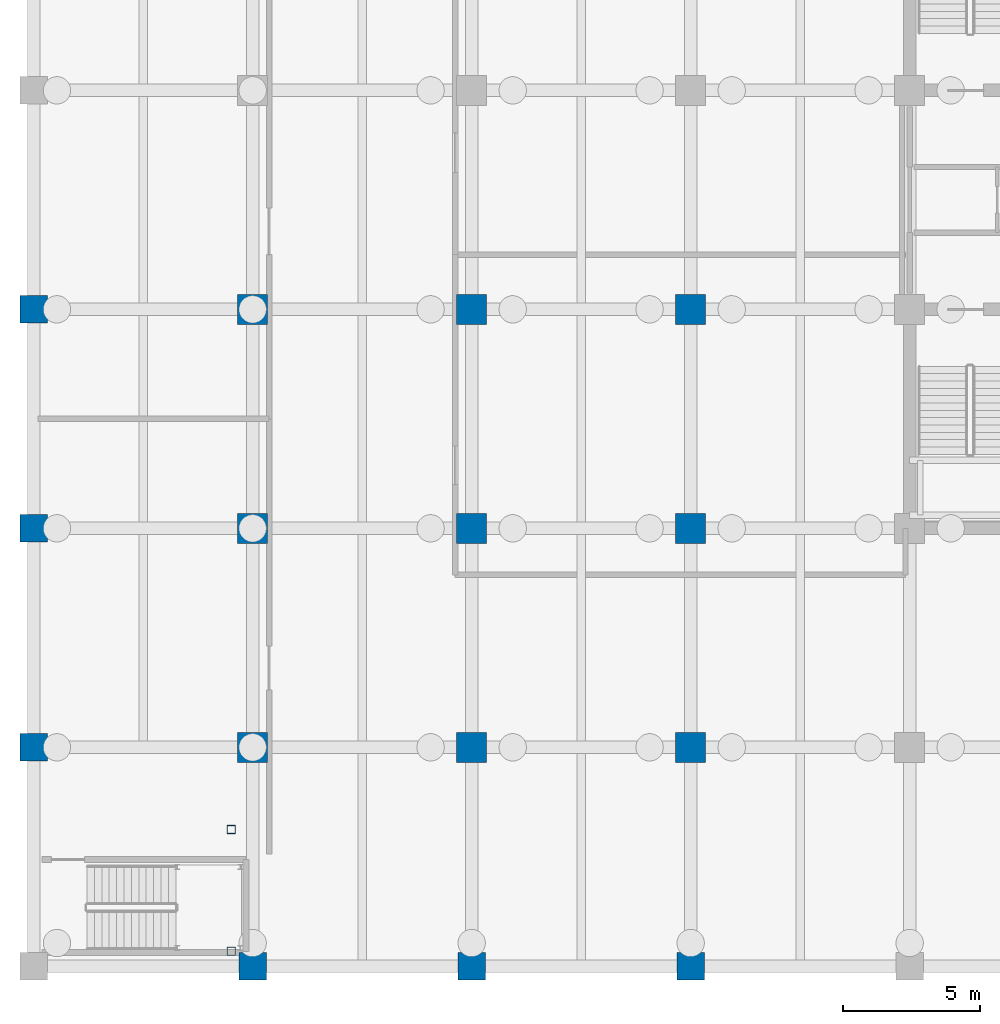
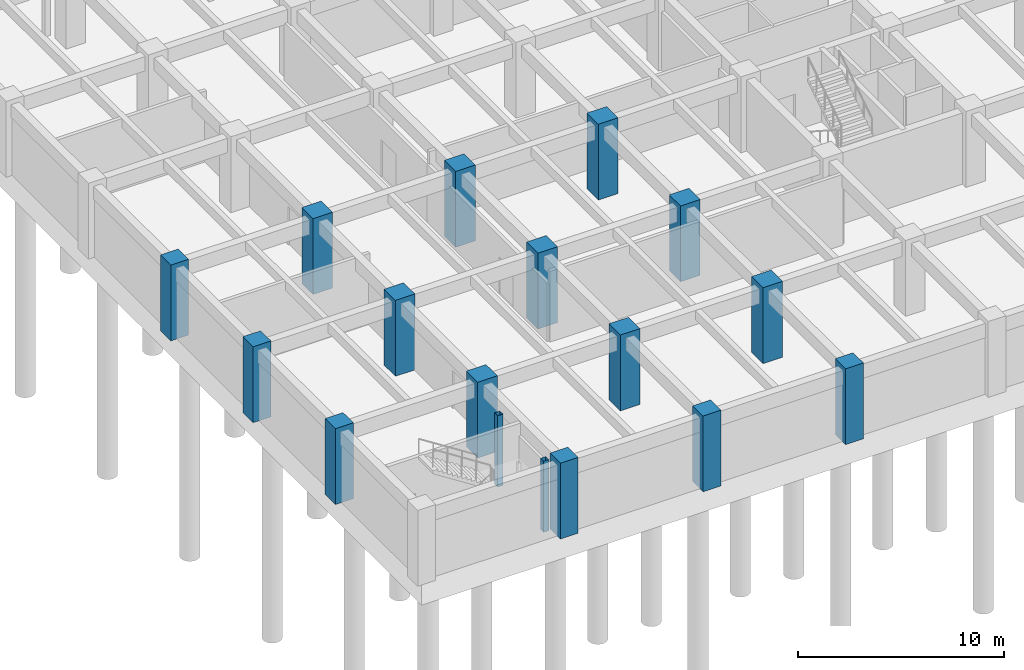
# One storey, part 2 of 15: 17 columns.
"""IFC4 building model written with IfcOpenShell, lengths in metres."""

import ifcopenshell
import ifcopenshell.guid

model = None  # the IFC model being written
_history = None  # IfcOwnerHistory: only IFC2X3 demands one
_inside = {}  # id of a spatial element -> (the spatial element, [elements in it])
_under = {}  # id of a project, library or spatial element -> (it, [spatial elements below it])
_declared = {}  # id of a project -> (the project, [libraries it declares])
_typed = {}  # id of a type object -> (the type object, [elements of that type])
_made_of = {}  # id of a material, layer set ... -> (it, [elements and type objects made of it])


def new_model(schema):
    """Start an empty IFC model of exactly this schema.

    Asked for "IFC4X3", IfcOpenShell would pick the latest addendum, in which some entities
    have other attributes; the version numbers below select the first issue.
    IFC2X3 requires an IfcOwnerHistory on every rooted entity: one is made here for all.
    """
    global model, _history
    if schema == "IFC4X3":
        model = ifcopenshell.file(schema_version=(4, 3, 0, 0))
    else:
        model = ifcopenshell.file(schema=schema)
    _inside.clear()
    _under.clear()
    _declared.clear()
    _typed.clear()
    _made_of.clear()
    _history = None
    if model.schema == "IFC2X3":
        org = make("IfcOrganization", Name="unknown")
        user = make(
            "IfcPersonAndOrganization",
            ThePerson=make("IfcPerson", FamilyName="unknown"),
            TheOrganization=org,
        )
        app = make(
            "IfcApplication",
            ApplicationDeveloper=org,
            Version="unknown",
            ApplicationFullName="unknown",
            ApplicationIdentifier="unknown",
        )
        _history = make(
            "IfcOwnerHistory",
            OwningUser=user,
            OwningApplication=app,
            ChangeAction="ADDED",
            CreationDate=0,
        )
    return model


def make(cls, **values):
    """One entity of the class cls with the attributes given. An attribute that is None is left unset."""
    return model.create_entity(
        cls, **{name: value for name, value in values.items() if value is not None}
    )


def rooted(cls, **values):
    """An entity with a GlobalId (a new one), such as an element, a storey or a relation."""
    return make(cls, GlobalId=ifcopenshell.guid.new(), OwnerHistory=_history, **values)


def si_unit(unit_type, name, prefix=None):
    """IfcSIUnit, for example si_unit("LENGTHUNIT", "METRE", prefix="MILLI")."""
    return make("IfcSIUnit", UnitType=unit_type, Prefix=prefix, Name=name)


def assignment(units):
    """IfcUnitAssignment: the units of a project."""
    return None if units is None else make("IfcUnitAssignment", Units=units)


def point(xyz):
    """IfcCartesianPoint."""
    return None if xyz is None else make("IfcCartesianPoint", Coordinates=xyz)


def direction(xyz):
    """IfcDirection."""
    return None if xyz is None else make("IfcDirection", DirectionRatios=xyz)


def frame(location, z_axis=None, x_axis=None):
    """IfcAxis2Placement3D, a coordinate frame: its origin and axes. An axis left out is left unset."""
    return make(
        "IfcAxis2Placement3D",
        Location=point(location),
        Axis=direction(z_axis),
        RefDirection=direction(x_axis),
    )


def frame_2d(location, x_axis=None):
    """IfcAxis2Placement2D, a coordinate frame in the plane: its origin and x axis."""
    return make(
        "IfcAxis2Placement2D", Location=point(location), RefDirection=direction(x_axis)
    )


def origin():
    """The frame at (0, 0, 0) with its axes left unset."""
    return frame((0.0, 0.0, 0.0))


def origin_2d():
    """The frame at (0, 0) in the plane with its x axis left unset."""
    return frame_2d((0.0, 0.0))


def place(relative_to, where):
    """IfcLocalPlacement: puts the frame where relative to a parent placement (None: the world)."""
    return make(
        "IfcLocalPlacement", PlacementRelTo=relative_to, RelativePlacement=where
    )


def context(
    kind, dimensions, precision=None, world=None, true_north=None, identifier=None
):
    """IfcGeometricRepresentationContext, for example the 3D "Model" context."""
    return make(
        "IfcGeometricRepresentationContext",
        ContextIdentifier=identifier,
        ContextType=kind,
        CoordinateSpaceDimension=dimensions,
        Precision=precision,
        WorldCoordinateSystem=world,
        TrueNorth=true_north,
    )


def subcontext(parent, identifier, kind, view, scale=None):
    """IfcGeometricRepresentationSubContext, for example "Body" below "Model"."""
    return make(
        "IfcGeometricRepresentationSubContext",
        ContextIdentifier=identifier,
        ContextType=kind,
        ParentContext=parent,
        TargetScale=scale,
        TargetView=view,
    )


def project(units=None, contexts=None):
    """IfcProject with its units and contexts."""
    return rooted(
        "IfcProject",
        Name="project",
        RepresentationContexts=contexts,
        UnitsInContext=assignment(units),
    )


def spatial(cls, under=None, at=None, **own):
    """A site, building, storey or space (cls), placed at a placement, below another one or the project."""
    s = rooted(cls, ObjectPlacement=at, **own)
    if under is not None:
        _under.setdefault(under.id(), (under, []))[1].append(s)
    return s


def profile(cls, at=None, kind="AREA", **sizes):
    """A parametric profile (cls). Its sizes go by their IFC names, for example OverallWidth=200.0."""
    return make(cls, ProfileType=kind, Position=at, **sizes)


def rectangle(**sizes):
    """IfcRectangleProfileDef."""
    return profile("IfcRectangleProfileDef", **sizes)


def hollow_rectangle(**sizes):
    """IfcRectangleHollowProfileDef."""
    return profile("IfcRectangleHollowProfileDef", **sizes)


def extrude(swept, where, along, depth):
    """IfcExtrudedAreaSolid: the profile swept, set in the frame where, extruded along a direction by depth."""
    return make(
        "IfcExtrudedAreaSolid",
        SweptArea=swept,
        Position=where,
        ExtrudedDirection=direction(along),
        Depth=depth,
    )


def shape(context_of_items, identifier, shape_type, items):
    """IfcShapeRepresentation: the items that make up one representation, for example the "Body"."""
    return make(
        "IfcShapeRepresentation",
        ContextOfItems=context_of_items,
        RepresentationIdentifier=identifier,
        RepresentationType=shape_type,
        Items=items,
    )


def material(Name=None, Category=None):
    """IfcMaterial."""
    return make("IfcMaterial", Name=Name, Category=Category)


def material_profile(
    of_material, cross_section, Name=None, Category=None, Priority=None
):
    """IfcMaterialProfile: a cross section and its material."""
    return make(
        "IfcMaterialProfile",
        Name=Name,
        Material=of_material,
        Profile=cross_section,
        Priority=Priority,
        Category=Category,
    )


def profile_set(profiles, Name=None, composite=None):
    """IfcMaterialProfileSet."""
    return make(
        "IfcMaterialProfileSet",
        Name=Name,
        MaterialProfiles=profiles,
        CompositeProfile=composite,
    )


def made_of(thing, what):
    """Note that an element or type object is made of a material, layer set ...; save() writes the relation."""
    if what is not None:
        _made_of.setdefault(what.id(), (what, []))[1].append(thing)
    return thing


def type_object(cls, material=None, **own):
    """A type object (cls), such as IfcWallType, which elements share."""
    return made_of(rooted(cls, **own), material)


def element(
    cls,
    number,
    at=None,
    inside=None,
    cuts=None,
    type_object=None,
    material=None,
    context=None,
    identifier="Body",
    shape_type=None,
    held_by="IfcProductDefinitionShape",
    body=None,
    shapes=None,
    **own,
):
    """One element of the class cls, such as IfcWall. Its Tag is "e" and its number.

    at: its placement. inside: the storey or other place that contains it. cuts: it is an
    opening in that element (IfcRelVoidsElement). A single representation is given by context,
    identifier, shape_type and body (its items); several are given by shapes. held_by: the class
    of the entity that holds the representations. save() writes the other relations.
    """
    e = rooted(cls, Tag="e%d" % number, ObjectPlacement=at, **own)
    if body is not None:
        shapes = [shape(context, identifier, shape_type, body)]
    if shapes is not None:
        e.Representation = make(held_by, Representations=shapes)
    if inside is not None:
        _inside.setdefault(inside.id(), (inside, []))[1].append(e)
    if cuts is not None:
        rooted(
            "IfcRelVoidsElement", RelatingBuildingElement=cuts, RelatedOpeningElement=e
        )
    if type_object is not None:
        _typed.setdefault(type_object.id(), (type_object, []))[1].append(e)
    return made_of(e, material)


def aggregate(whole, parts):
    """IfcRelAggregates: a whole, such as a stair, and the parts it consists of."""
    return rooted("IfcRelAggregates", RelatingObject=whole, RelatedObjects=parts)


def save(model, path):
    """Write the relations noted so far, then the file.

    IfcRelAggregates (storeys below a building ...), IfcRelContainedInSpatialStructure (elements
    in a storey), IfcRelDefinesByType, IfcRelAssociatesMaterial and IfcRelDeclares: one each for
    every whole, place, type object, material and project.
    """
    for whole, parts in _under.values():
        aggregate(whole, parts)
    for where, things in _inside.values():
        rooted(
            "IfcRelContainedInSpatialStructure",
            RelatedElements=things,
            RelatingStructure=where,
        )
    for kind, things in _typed.values():
        rooted("IfcRelDefinesByType", RelatedObjects=things, RelatingType=kind)
    for what, things in _made_of.values():
        rooted("IfcRelAssociatesMaterial", RelatedObjects=things, RelatingMaterial=what)
    for by, libraries in _declared.values():
        rooted("IfcRelDeclares", RelatingContext=by, RelatedDefinitions=libraries)
    model.write(path)


model = new_model("IFC4")

# Units and contexts
model_context = context("Model", 3, precision=1e-05, world=origin(), true_north=direction((0.0, 1.0)))
body_context = subcontext(model_context, "Body", "Model", "MODEL_VIEW")
ifc_project = project(units=[si_unit("LENGTHUNIT", "METRE"), si_unit("AREAUNIT", "SQUARE_METRE"), si_unit("VOLUMEUNIT", "CUBIC_METRE"), si_unit("PLANEANGLEUNIT", "RADIAN"), si_unit("MASSUNIT", "GRAM", prefix="KILO")], contexts=[model_context])

# Site, building, storey
site_placement = place(None, origin())
site = spatial("IfcSite", under=ifc_project, at=site_placement, CompositionType="ELEMENT")
building_placement = place(site_placement, origin())
building = spatial("IfcBuilding", under=site, at=building_placement, Name="Canggui Botanical Conservatory", CompositionType="ELEMENT")
storey_placement = place(building_placement, frame((0.0, 0.0, -9.0)))
storey = spatial("IfcBuildingStorey", under=building, at=storey_placement, Name="B2", CompositionType="ELEMENT", Elevation=-9.0)

# Columns
ifc_material_1 = material(Name="Steel Q355C", Category="steel")
ifc_material_profile_1 = material_profile(ifc_material_1, hollow_rectangle(XDim=0.300048828125, YDim=0.300048828125, WallThickness=0.010009765625, at=origin_2d()), Name="SHS 300x300x10")
ifc_profile_set_1 = profile_set([ifc_material_profile_1], Name="Steel Q355C")
column_type_1 = type_object("IfcColumnType", Name="COL-GZ02", PredefinedType="COLUMN", material=ifc_profile_set_1)
for number, where, z_axis, x_axis, name in (
    (1, (129.219970703125, 26.550048828125, 0.0), (0.0, 0.0, 1.0), (1.0, 0.0, 0.0), "SB-01 Corbel Support Pier B2-1"),
    (2, (129.219970703125, 31.0, 0.0), (0.0, 0.0, 1.0), (1.0, 0.0, 0.0), "SB-01 Corbel Support Pier B2-2"),
):
    element("IfcColumn", number, at=place(storey_placement, frame(where, z_axis=z_axis, x_axis=x_axis)), inside=storey, type_object=column_type_1, Name=name, PredefinedType="COLUMN", context=body_context, shape_type="SweptSolid", body=[
        extrude(hollow_rectangle(XDim=0.300048828125, YDim=0.300048828125, WallThickness=0.010009765625, at=origin_2d()), origin(), (0.0, 0.0, 1.0), 4.219970703125),
    ])
ifc_material_2 = material(Name="Concrete C50", Category="concrete")
ifc_material_profile_2 = material_profile(ifc_material_2, rectangle(XDim=1.10009765625, YDim=1.10009765625, at=origin_2d()), Name="RC 1100x1100")
ifc_profile_set_2 = profile_set([ifc_material_profile_2], Name="Concrete C50")
column_type_2 = type_object("IfcColumnType", Name="COL-KZ01", PredefinedType="COLUMN", material=ifc_profile_set_2)
for number, where, z_axis, x_axis, name in (
    (3, (130.0, 34.0, 0.0), (0.0, 0.0, 1.0), (1.0, 0.0, 0.0), "Tower RC Column B2 (130,34)"),
    (4, (130.0, 42.0, 0.0), (0.0, 0.0, 1.0), (1.0, 0.0, 0.0), "Tower RC Column B2 (130,42)"),
    (5, (130.0, 50.0, 0.0), (0.0, 0.0, 1.0), (1.0, 0.0, 0.0), "Tower RC Column B2 (130,50)"),
    (6, (138.0, 34.0, 0.0), (0.0, 0.0, 1.0), (1.0, 0.0, 0.0), "Tower RC Column B2 (138,34)"),
    (7, (138.0, 42.0, 0.0), (0.0, 0.0, 1.0), (1.0, 0.0, 0.0), "Tower RC Column B2 (138,42)"),
    (8, (138.0, 50.0, 0.0), (0.0, 0.0, 1.0), (1.0, 0.0, 0.0), "Tower RC Column B2 (138,50)"),
    (9, (146.0, 34.0, 0.0), (0.0, 0.0, 1.0), (1.0, 0.0, 0.0), "Tower RC Column B2 (146,34)"),
    (10, (146.0, 42.0, 0.0), (0.0, 0.0, 1.0), (1.0, 0.0, 0.0), "Tower RC Column B2 (146,42)"),
    (11, (146.0, 50.0, 0.0), (0.0, 0.0, 1.0), (1.0, 0.0, 0.0), "Tower RC Column B2 (146,50)"),
):
    element("IfcColumn", number, at=place(storey_placement, frame(where, z_axis=z_axis, x_axis=x_axis)), inside=storey, type_object=column_type_2, Name=name, PredefinedType="COLUMN", context=body_context, shape_type="SweptSolid", body=[
        extrude(rectangle(XDim=1.10009765625, YDim=1.10009765625, at=origin_2d()), origin(), (0.0, 0.0, 1.0), 4.5),
    ])
ifc_material_profile_3 = material_profile(ifc_material_2, rectangle(XDim=1.0, YDim=1.0, at=origin_2d()), Name="RC 1000x1000")
ifc_profile_set_3 = profile_set([ifc_material_profile_3], Name="Concrete C50")
column_type_3 = type_object("IfcColumnType", Name="COL-KZ03", PredefinedType="COLUMN", material=ifc_profile_set_3)
for number, where, z_axis, x_axis, name in (
    (12, (122.0, 34.0, 0.0), (0.0, 0.0, 1.0), (1.0, 0.0, 0.0), "Tower RC Column B2 (122,34)"),
    (13, (122.0, 42.0, 0.0), (0.0, 0.0, 1.0), (1.0, 0.0, 0.0), "Tower RC Column B2 (122,42)"),
    (14, (122.0, 50.0, 0.0), (0.0, 0.0, 1.0), (1.0, 0.0, 0.0), "Tower RC Column B2 (122,50)"),
    (15, (130.0, 26.0, 0.0), (0.0, 0.0, 1.0), (1.0, 0.0, 0.0), "Tower RC Column B2 (130,26)"),
    (16, (138.0, 26.0, 0.0), (0.0, 0.0, 1.0), (1.0, 0.0, 0.0), "Tower RC Column B2 (138,26)"),
    (17, (146.0, 26.0, 0.0), (0.0, 0.0, 1.0), (1.0, 0.0, 0.0), "Tower RC Column B2 (146,26)"),
):
    element("IfcColumn", number, at=place(storey_placement, frame(where, z_axis=z_axis, x_axis=x_axis)), inside=storey, type_object=column_type_3, Name=name, PredefinedType="COLUMN", context=body_context, shape_type="SweptSolid", body=[
        extrude(rectangle(XDim=1.0, YDim=1.0, at=origin_2d()), origin(), (0.0, 0.0, 1.0), 4.5),
    ])

save(model, "model.ifc")
